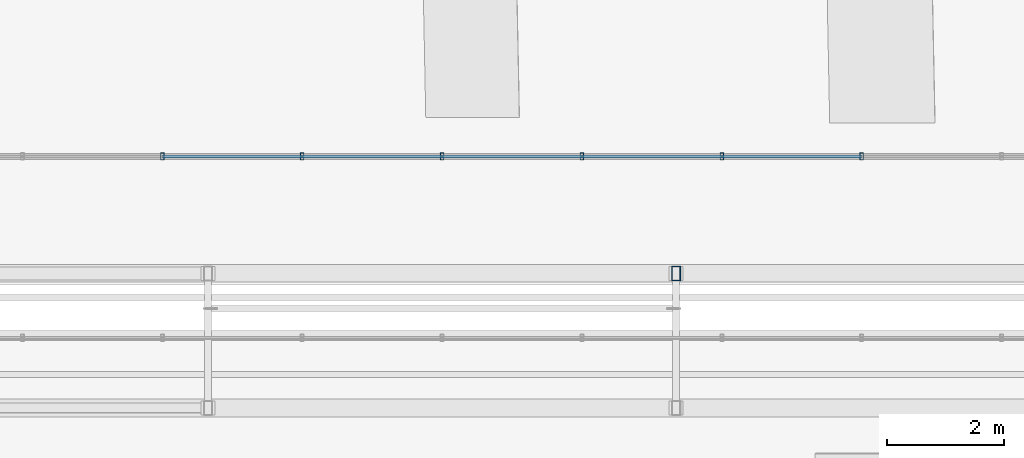
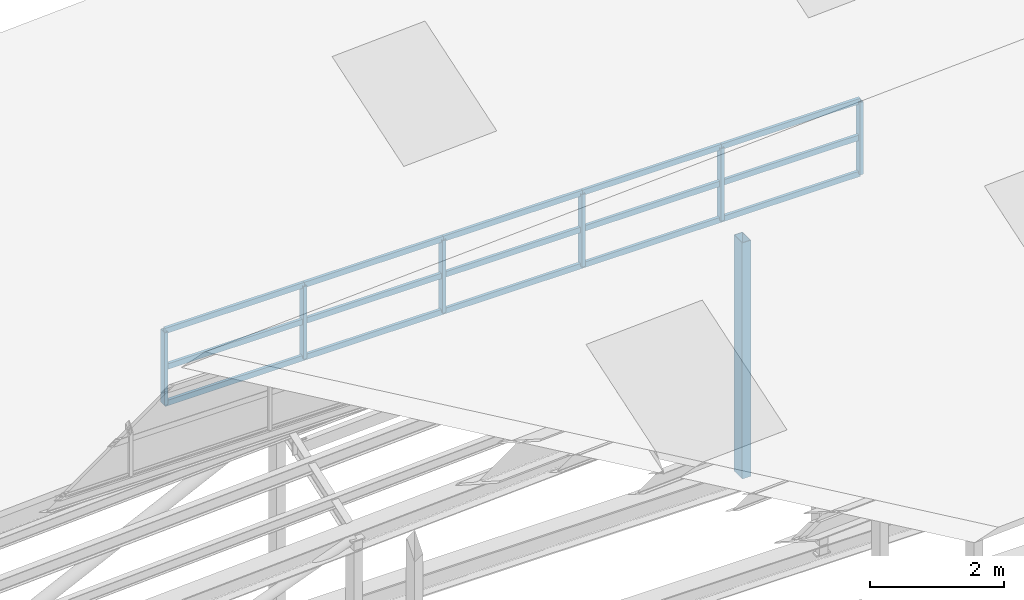
# One storey, part 102 of 141: 22 members, 1 element without a shape of its own.
"""IFC4 building model written with IfcOpenShell, lengths in metres."""

from ifc_helpers import new_model, si_unit, direction, frame, origin, origin_2d, place, context, subcontext, project, spatial, hollow_rectangle, extrude, material, material_profile, profile_set, type_object, element, aggregate, save


model = new_model("IFC4")

# Units and contexts
model_context = context("Model", 3, precision=1e-05, world=origin(), true_north=direction((0.0, 1.0)))
body_context = subcontext(model_context, "Body", "Model", "MODEL_VIEW")
ifc_project = project(units=[si_unit("LENGTHUNIT", "METRE"), si_unit("AREAUNIT", "SQUARE_METRE"), si_unit("VOLUMEUNIT", "CUBIC_METRE"), si_unit("PLANEANGLEUNIT", "RADIAN"), si_unit("MASSUNIT", "GRAM", prefix="KILO")], contexts=[model_context])

# Site, building, storey
site_placement = place(None, origin())
site = spatial("IfcSite", under=ifc_project, at=site_placement, CompositionType="ELEMENT")
building_placement = place(site_placement, origin())
building = spatial("IfcBuilding", under=site, at=building_placement, Name="Sundkrona Museum", CompositionType="ELEMENT")
storey_placement = place(building_placement, frame((0.0, 0.0, 34.0)))
storey = spatial("IfcBuildingStorey", under=building, at=storey_placement, Name="RF", CompositionType="ELEMENT", Elevation=34.0)

# Curtain wall, members
ifc_material_1 = material(Name="Unitised Aluminium-Steel and Ceramic-Clad Curtain Walling", Category="steel")
curtain_wall_type = type_object("IfcCurtainWallType", Name="CW-SW-240x13", PredefinedType="NOTDEFINED", material=ifc_material_1)
curtain_wall_placement = place(storey_placement, origin())
curtain_wall = element("IfcCurtainWall", 1, at=curtain_wall_placement, inside=storey, type_object=curtain_wall_type, Name="Sawtooth Bay 7 West North-Light Clerestory", PredefinedType="NOTDEFINED")
ifc_material_2 = material(Name="Aluminium EN AW-6060 T66", Category="aluminium")
ifc_material_profile_1 = material_profile(ifc_material_2, hollow_rectangle(XDim=0.06005859375, YDim=0.1201171875, WallThickness=0.0048828125, at=origin_2d()), Name="RHS 120x60x5.0")
ifc_profile_set_1 = profile_set([ifc_material_profile_1], Name="Aluminium EN AW-6060 T66")
member_type_1 = type_object("IfcMemberType", Name="ML-120", PredefinedType="MULLION", material=ifc_profile_set_1)
member_1_placement = place(storey_placement, frame((127.219970703125, 45.800048828125, 2.89306640625), z_axis=(0.0, 0.0, 1.0), x_axis=(1.0, 0.0, 0.0)))
member_1 = element("IfcMember", 2, at=member_1_placement, type_object=member_type_1, Name="CW-RF-SAW-07W Mullion 04", PredefinedType="MULLION", context=body_context, shape_type="SweptSolid", body=[
    extrude(hollow_rectangle(XDim=0.06005859375, YDim=0.1201171875, WallThickness=0.0048828125, at=origin_2d()), origin(), (0.0, 0.0, 1.0), 1.31982421875),
])
member_2_placement = place(storey_placement, frame((129.610107421875, 45.800048828125, 2.89306640625), z_axis=(0.0, 0.0, 1.0), x_axis=(1.0, 0.0, 0.0)))
member_2 = element("IfcMember", 3, at=member_2_placement, type_object=member_type_1, Name="CW-RF-SAW-07W Mullion 05", PredefinedType="MULLION", context=body_context, shape_type="SweptSolid", body=[
    extrude(hollow_rectangle(XDim=0.06005859375, YDim=0.1201171875, WallThickness=0.0048828125, at=origin_2d()), origin(), (0.0, 0.0, 1.0), 1.31982421875),
])
member_3_placement = place(storey_placement, frame((132.0, 45.800048828125, 2.89306640625), z_axis=(0.0, 0.0, 1.0), x_axis=(1.0, 0.0, 0.0)))
member_3 = element("IfcMember", 4, at=member_3_placement, type_object=member_type_1, Name="CW-RF-SAW-07W Mullion 06", PredefinedType="MULLION", context=body_context, shape_type="SweptSolid", body=[
    extrude(hollow_rectangle(XDim=0.06005859375, YDim=0.1201171875, WallThickness=0.0048828125, at=origin_2d()), origin(), (0.0, 0.0, 1.0), 1.31982421875),
])
member_4_placement = place(storey_placement, frame((134.389892578125, 45.800048828125, 2.89306640625), z_axis=(0.0, 0.0, 1.0), x_axis=(1.0, 0.0, 0.0)))
member_4 = element("IfcMember", 5, at=member_4_placement, type_object=member_type_1, Name="CW-RF-SAW-07W Mullion 07", PredefinedType="MULLION", context=body_context, shape_type="SweptSolid", body=[
    extrude(hollow_rectangle(XDim=0.06005859375, YDim=0.1201171875, WallThickness=0.0048828125, at=origin_2d()), origin(), (0.0, 0.0, 1.0), 1.31982421875),
])
member_5_placement = place(storey_placement, frame((136.780029296875, 45.800048828125, 2.89306640625), z_axis=(0.0, 0.0, 1.0), x_axis=(1.0, 0.0, 0.0)))
member_5 = element("IfcMember", 6, at=member_5_placement, type_object=member_type_1, Name="CW-RF-SAW-07W Mullion 08", PredefinedType="MULLION", context=body_context, shape_type="SweptSolid", body=[
    extrude(hollow_rectangle(XDim=0.06005859375, YDim=0.1201171875, WallThickness=0.0048828125, at=origin_2d()), origin(), (0.0, 0.0, 1.0), 1.31982421875),
])
member_6_placement = place(storey_placement, frame((139.169921875, 45.800048828125, 2.89306640625), z_axis=(0.0, 0.0, 1.0), x_axis=(1.0, 0.0, 0.0)))
member_6 = element("IfcMember", 7, at=member_6_placement, type_object=member_type_1, Name="CW-RF-SAW-07W Mullion 09", PredefinedType="MULLION", context=body_context, shape_type="SweptSolid", body=[
    extrude(hollow_rectangle(XDim=0.06005859375, YDim=0.1201171875, WallThickness=0.0048828125, at=origin_2d()), origin(), (0.0, 0.0, 1.0), 1.31982421875),
])

# Member
ifc_material_3 = material(Name="Steel S355J2", Category="steel")
ifc_material_profile_2 = material_profile(ifc_material_3, hollow_rectangle(XDim=0.14990234375, YDim=0.25, WallThickness=0.010009765625, at=origin_2d()), Name="RHS 250x150x10.0")
ifc_profile_set_2 = profile_set([ifc_material_profile_2], Name="Steel S355J2")
member_type_2 = type_object("IfcMemberType", Name="ST-RHS250", PredefinedType="STRUT", material=ifc_profile_set_2)
member_7_placement = place(storey_placement, frame((136.0, 43.800048828125, -0.25), z_axis=(0.0, 0.0, 1.0), x_axis=(1.0, 0.0, 0.0)))
element("IfcMember", 8, at=member_7_placement, inside=storey, type_object=member_type_2, Name="RFS-1 Sawtooth Truss 7 Vertical Post 3", PredefinedType="STRUT", context=body_context, shape_type="SweptSolid", body=[
    extrude(hollow_rectangle(XDim=0.14990234375, YDim=0.25, WallThickness=0.010009765625, at=origin_2d()), origin(), (0.0, 0.0, 1.0), 4.290771484375),
])

ifc_material_profile_3 = material_profile(ifc_material_2, hollow_rectangle(XDim=0.050048828125, YDim=0.10009765625, WallThickness=0.0048828125, at=origin_2d()), Name="RHS 100x50x5.0")
ifc_profile_set_3 = profile_set([ifc_material_profile_3], Name="Aluminium EN AW-6060 T66")
member_type_3 = type_object("IfcMemberType", Name="TR-100", PredefinedType="USERDEFINED", material=ifc_profile_set_3)
member_8_placement = place(storey_placement, frame((127.219970703125, 45.800048828125, 2.89306640625), z_axis=(1.0, 0.0, 0.0), x_axis=(0.0, 1.0, 0.0)))
member_8 = element("IfcMember", 9, at=member_8_placement, type_object=member_type_3, Name="CW-RF-SAW-07W Transom 10", ObjectType="TRANSOM", PredefinedType="USERDEFINED", context=body_context, shape_type="SweptSolid", body=[
    extrude(hollow_rectangle(XDim=0.050048828125, YDim=0.10009765625, WallThickness=0.0048828125, at=origin_2d()), origin(), (0.0, 0.0, 1.0), 2.39013671875),
])

member_9_placement = place(storey_placement, frame((127.219970703125, 45.800048828125, 3.552978515625), z_axis=(1.0, 0.0, 0.0), x_axis=(0.0, 1.0, 0.0)))
member_9 = element("IfcMember", 10, at=member_9_placement, type_object=member_type_3, Name="CW-RF-SAW-07W Transom 11", ObjectType="TRANSOM", PredefinedType="USERDEFINED", context=body_context, shape_type="SweptSolid", body=[
    extrude(hollow_rectangle(XDim=0.050048828125, YDim=0.10009765625, WallThickness=0.0048828125, at=origin_2d()), origin(), (0.0, 0.0, 1.0), 2.39013671875),
])

member_10_placement = place(storey_placement, frame((127.219970703125, 45.800048828125, 4.212890625), z_axis=(1.0, 0.0, 0.0), x_axis=(0.0, 1.0, 0.0)))
member_10 = element("IfcMember", 11, at=member_10_placement, type_object=member_type_3, Name="CW-RF-SAW-07W Transom 12", ObjectType="TRANSOM", PredefinedType="USERDEFINED", context=body_context, shape_type="SweptSolid", body=[
    extrude(hollow_rectangle(XDim=0.050048828125, YDim=0.10009765625, WallThickness=0.0048828125, at=origin_2d()), origin(), (0.0, 0.0, 1.0), 2.39013671875),
])

member_11_placement = place(storey_placement, frame((129.610107421875, 45.800048828125, 2.89306640625), z_axis=(1.0, 0.0, 0.0), x_axis=(0.0, 1.0, 0.0)))
member_11 = element("IfcMember", 12, at=member_11_placement, type_object=member_type_3, Name="CW-RF-SAW-07W Transom 13", ObjectType="TRANSOM", PredefinedType="USERDEFINED", context=body_context, shape_type="SweptSolid", body=[
    extrude(hollow_rectangle(XDim=0.050048828125, YDim=0.10009765625, WallThickness=0.0048828125, at=origin_2d()), origin(), (0.0, 0.0, 1.0), 2.389892578125),
])

member_12_placement = place(storey_placement, frame((129.610107421875, 45.800048828125, 3.552978515625), z_axis=(1.0, 0.0, 0.0), x_axis=(0.0, 1.0, 0.0)))
member_12 = element("IfcMember", 13, at=member_12_placement, type_object=member_type_3, Name="CW-RF-SAW-07W Transom 14", ObjectType="TRANSOM", PredefinedType="USERDEFINED", context=body_context, shape_type="SweptSolid", body=[
    extrude(hollow_rectangle(XDim=0.050048828125, YDim=0.10009765625, WallThickness=0.0048828125, at=origin_2d()), origin(), (0.0, 0.0, 1.0), 2.389892578125),
])

member_13_placement = place(storey_placement, frame((129.610107421875, 45.800048828125, 4.212890625), z_axis=(1.0, 0.0, 0.0), x_axis=(0.0, 1.0, 0.0)))
member_13 = element("IfcMember", 14, at=member_13_placement, type_object=member_type_3, Name="CW-RF-SAW-07W Transom 15", ObjectType="TRANSOM", PredefinedType="USERDEFINED", context=body_context, shape_type="SweptSolid", body=[
    extrude(hollow_rectangle(XDim=0.050048828125, YDim=0.10009765625, WallThickness=0.0048828125, at=origin_2d()), origin(), (0.0, 0.0, 1.0), 2.389892578125),
])

member_14_placement = place(storey_placement, frame((132.0, 45.800048828125, 2.89306640625), z_axis=(1.0, 0.0, 0.0), x_axis=(0.0, 1.0, 0.0)))
member_14 = element("IfcMember", 15, at=member_14_placement, type_object=member_type_3, Name="CW-RF-SAW-07W Transom 16", ObjectType="TRANSOM", PredefinedType="USERDEFINED", context=body_context, shape_type="SweptSolid", body=[
    extrude(hollow_rectangle(XDim=0.050048828125, YDim=0.10009765625, WallThickness=0.0048828125, at=origin_2d()), origin(), (0.0, 0.0, 1.0), 2.389892578125),
])

member_15_placement = place(storey_placement, frame((132.0, 45.800048828125, 3.552978515625), z_axis=(1.0, 0.0, 0.0), x_axis=(0.0, 1.0, 0.0)))
member_15 = element("IfcMember", 16, at=member_15_placement, type_object=member_type_3, Name="CW-RF-SAW-07W Transom 17", ObjectType="TRANSOM", PredefinedType="USERDEFINED", context=body_context, shape_type="SweptSolid", body=[
    extrude(hollow_rectangle(XDim=0.050048828125, YDim=0.10009765625, WallThickness=0.0048828125, at=origin_2d()), origin(), (0.0, 0.0, 1.0), 2.389892578125),
])

member_16_placement = place(storey_placement, frame((132.0, 45.800048828125, 4.212890625), z_axis=(1.0, 0.0, 0.0), x_axis=(0.0, 1.0, 0.0)))
member_16 = element("IfcMember", 17, at=member_16_placement, type_object=member_type_3, Name="CW-RF-SAW-07W Transom 18", ObjectType="TRANSOM", PredefinedType="USERDEFINED", context=body_context, shape_type="SweptSolid", body=[
    extrude(hollow_rectangle(XDim=0.050048828125, YDim=0.10009765625, WallThickness=0.0048828125, at=origin_2d()), origin(), (0.0, 0.0, 1.0), 2.389892578125),
])

member_17_placement = place(storey_placement, frame((134.389892578125, 45.800048828125, 2.89306640625), z_axis=(1.0, 0.0, 0.0), x_axis=(0.0, 1.0, 0.0)))
member_17 = element("IfcMember", 18, at=member_17_placement, type_object=member_type_3, Name="CW-RF-SAW-07W Transom 19", ObjectType="TRANSOM", PredefinedType="USERDEFINED", context=body_context, shape_type="SweptSolid", body=[
    extrude(hollow_rectangle(XDim=0.050048828125, YDim=0.10009765625, WallThickness=0.0048828125, at=origin_2d()), origin(), (0.0, 0.0, 1.0), 2.39013671875),
])

member_18_placement = place(storey_placement, frame((134.389892578125, 45.800048828125, 3.552978515625), z_axis=(1.0, 0.0, 0.0), x_axis=(0.0, 1.0, 0.0)))
member_18 = element("IfcMember", 19, at=member_18_placement, type_object=member_type_3, Name="CW-RF-SAW-07W Transom 20", ObjectType="TRANSOM", PredefinedType="USERDEFINED", context=body_context, shape_type="SweptSolid", body=[
    extrude(hollow_rectangle(XDim=0.050048828125, YDim=0.10009765625, WallThickness=0.0048828125, at=origin_2d()), origin(), (0.0, 0.0, 1.0), 2.39013671875),
])

member_19_placement = place(storey_placement, frame((134.389892578125, 45.800048828125, 4.212890625), z_axis=(1.0, 0.0, 0.0), x_axis=(0.0, 1.0, 0.0)))
member_19 = element("IfcMember", 20, at=member_19_placement, type_object=member_type_3, Name="CW-RF-SAW-07W Transom 21", ObjectType="TRANSOM", PredefinedType="USERDEFINED", context=body_context, shape_type="SweptSolid", body=[
    extrude(hollow_rectangle(XDim=0.050048828125, YDim=0.10009765625, WallThickness=0.0048828125, at=origin_2d()), origin(), (0.0, 0.0, 1.0), 2.39013671875),
])

member_20_placement = place(storey_placement, frame((136.780029296875, 45.800048828125, 2.89306640625), z_axis=(1.0, 0.0, 0.0), x_axis=(0.0, 1.0, 0.0)))
member_20 = element("IfcMember", 21, at=member_20_placement, type_object=member_type_3, Name="CW-RF-SAW-07W Transom 22", ObjectType="TRANSOM", PredefinedType="USERDEFINED", context=body_context, shape_type="SweptSolid", body=[
    extrude(hollow_rectangle(XDim=0.050048828125, YDim=0.10009765625, WallThickness=0.0048828125, at=origin_2d()), origin(), (0.0, 0.0, 1.0), 2.389892578125),
])

member_21_placement = place(storey_placement, frame((136.780029296875, 45.800048828125, 3.552978515625), z_axis=(1.0, 0.0, 0.0), x_axis=(0.0, 1.0, 0.0)))
member_21 = element("IfcMember", 22, at=member_21_placement, type_object=member_type_3, Name="CW-RF-SAW-07W Transom 23", ObjectType="TRANSOM", PredefinedType="USERDEFINED", context=body_context, shape_type="SweptSolid", body=[
    extrude(hollow_rectangle(XDim=0.050048828125, YDim=0.10009765625, WallThickness=0.0048828125, at=origin_2d()), origin(), (0.0, 0.0, 1.0), 2.389892578125),
])

member_22_placement = place(storey_placement, frame((136.780029296875, 45.800048828125, 4.212890625), z_axis=(1.0, 0.0, 0.0), x_axis=(0.0, 1.0, 0.0)))
member_22 = element("IfcMember", 23, at=member_22_placement, type_object=member_type_3, Name="CW-RF-SAW-07W Transom 24", ObjectType="TRANSOM", PredefinedType="USERDEFINED", context=body_context, shape_type="SweptSolid", body=[
    extrude(hollow_rectangle(XDim=0.050048828125, YDim=0.10009765625, WallThickness=0.0048828125, at=origin_2d()), origin(), (0.0, 0.0, 1.0), 2.389892578125),
])

aggregate(curtain_wall, [member_1, member_2, member_3, member_4, member_5, member_6, member_8, member_9, member_10, member_11, member_12, member_13, member_14, member_15, member_16, member_17, member_18, member_19, member_20, member_21, member_22])

save(model, "model.ifc")
